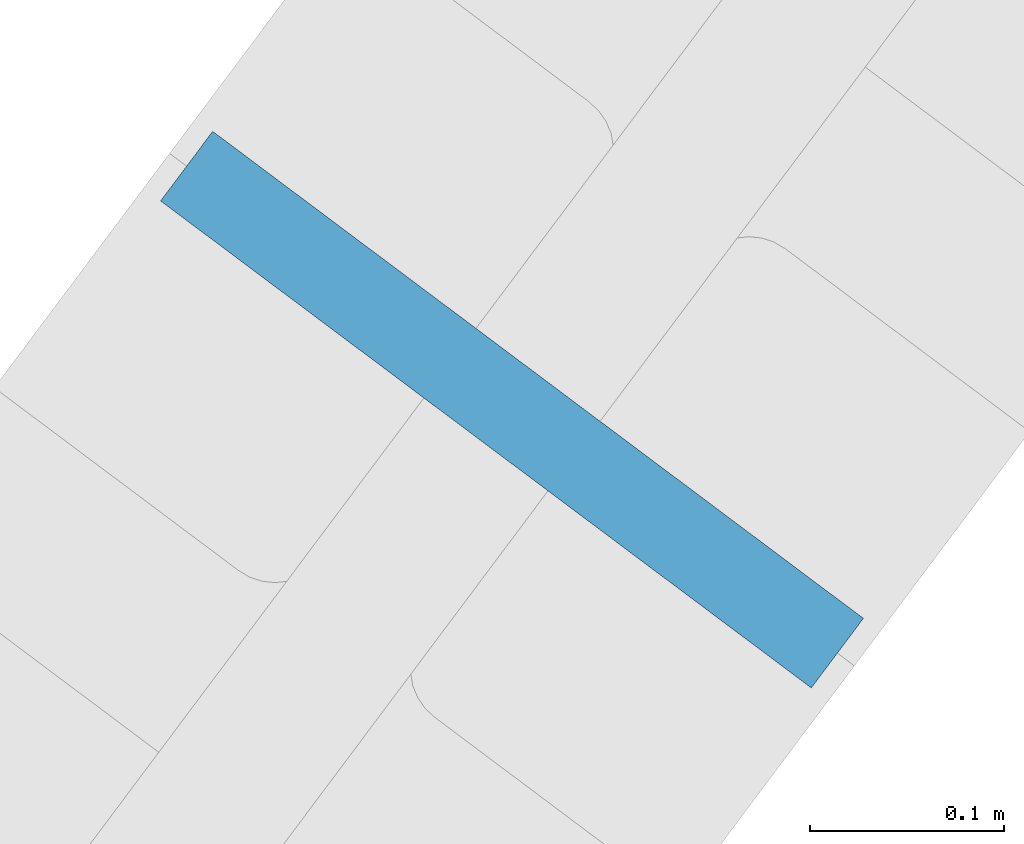
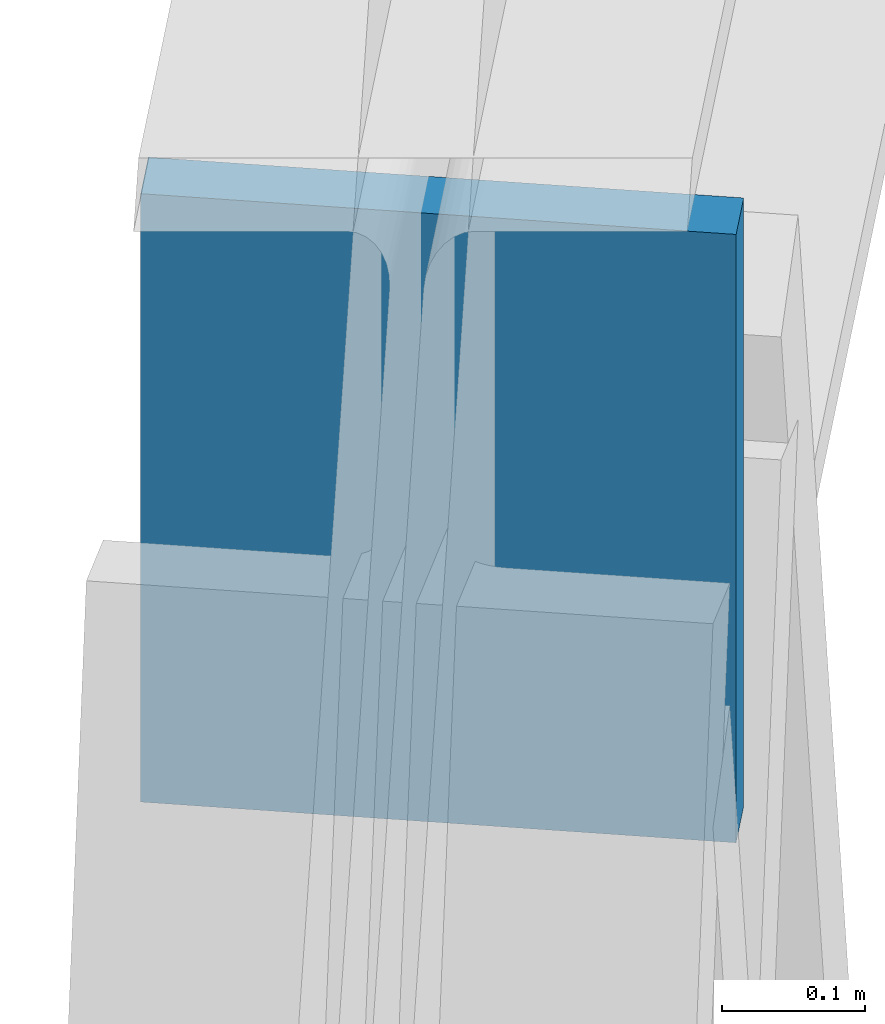
# One storey, part 15 of 23: 1 plate.
"""IFC4 building model written with IfcOpenShell, lengths in metres."""

from ifc_helpers import new_model, si_unit, direction, frame, origin, origin_2d, place, context, subcontext, project, spatial, rectangle, extrude, source, transform, mapped, material, layer, layer_set, type_object, type_shapes, element, save


model = new_model("IFC4")

# Units and contexts
model_context = context("Model", 3, precision=1e-05, world=origin(), true_north=direction((0.0, 1.0)))
body_context = subcontext(model_context, "Body", "Model", "MODEL_VIEW")
ifc_project = project(units=[si_unit("LENGTHUNIT", "METRE"), si_unit("AREAUNIT", "SQUARE_METRE"), si_unit("VOLUMEUNIT", "CUBIC_METRE"), si_unit("PLANEANGLEUNIT", "RADIAN"), si_unit("MASSUNIT", "GRAM", prefix="KILO")], contexts=[model_context])

# Site, building, storey
site_placement = place(None, origin())
site = spatial("IfcSite", under=ifc_project, at=site_placement, CompositionType="ELEMENT")
building_placement = place(site_placement, origin())
building = spatial("IfcBuilding", under=site, at=building_placement, Name="Durnholm Broadcast Tower", CompositionType="ELEMENT")
storey_placement = place(building_placement, frame((0.0, 0.0, 21.199951171875)))
storey = spatial("IfcBuildingStorey", under=building, at=storey_placement, Name="L04", CompositionType="ELEMENT", Elevation=21.199951171875)

# Plate
ifc_material = material(Name="Steel ASTM A572 Grade 50", Category="steel")
ifc_layer = layer(ifc_material, 0.044921875)
ifc_layer_set = layer_set([ifc_layer], Name="Steel ASTM A572 Grade 50")
plate_type = type_object("IfcPlateType", Name="PLT-KN-STIF", PredefinedType="SHEET", material=ifc_layer_set)
shared_shape = source(origin(), body_context, "Body", "SweptSolid", [
    extrude(rectangle(XDim=0.044921875, YDim=0.419921875, at=origin_2d()), origin(), (0.0, 0.0, 1.0), 0.52001953125),
])
type_shapes(plate_type, [shared_shape])
plate_placement = place(storey_placement, frame((-21.298095703125, 17.787109375, 4.2685546875), z_axis=(0.0, 0.0, 1.0), x_axis=(-0.59916334338, -0.800626809413, 0.0)))
element("IfcPlate", 1, at=plate_placement, inside=storey, type_object=plate_type, Name="L04 welded diagrid node stiffener plate F5", PredefinedType="SHEET", context=body_context, shape_type="MappedRepresentation", body=[
    mapped(shared_shape, transform((0.0, 0.0, 0.0), x_axis=(1.0, 0.0, 0.0), y_axis=(0.0, 1.0, 0.0), z_axis=(0.0, 0.0, 1.0), scale=1.0)),
])

save(model, "model.ifc")
